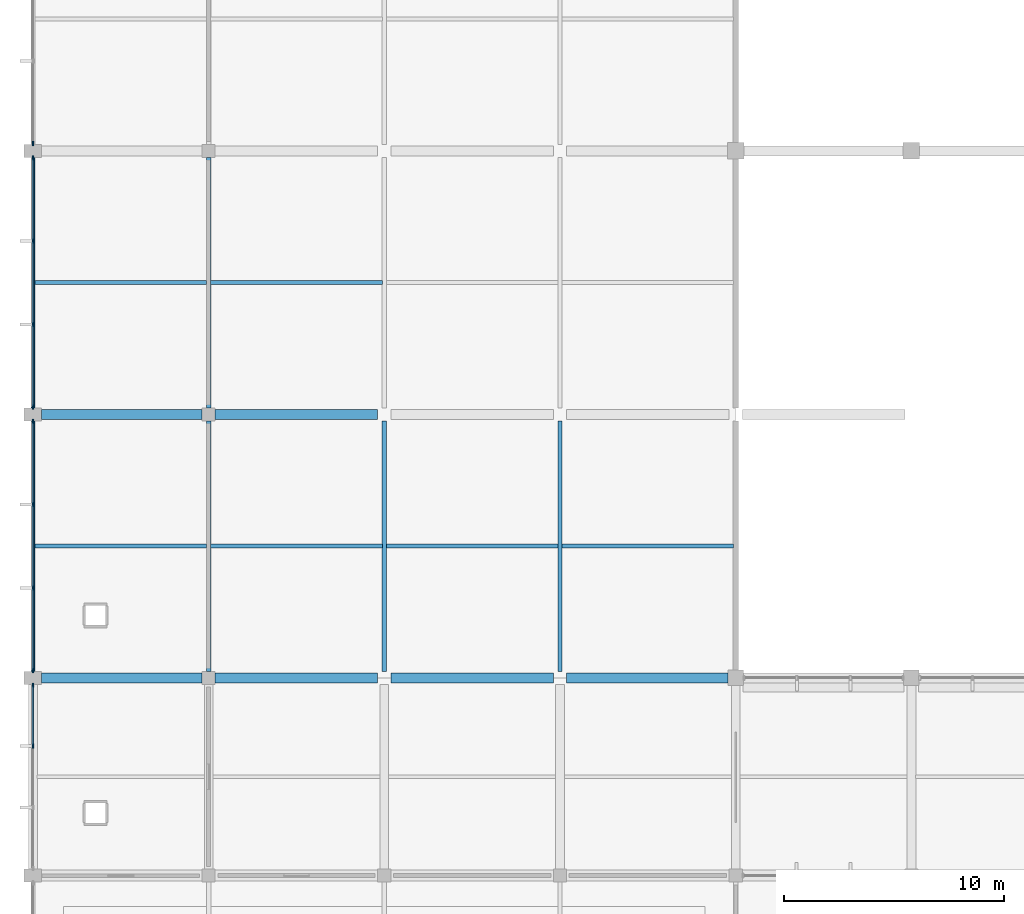
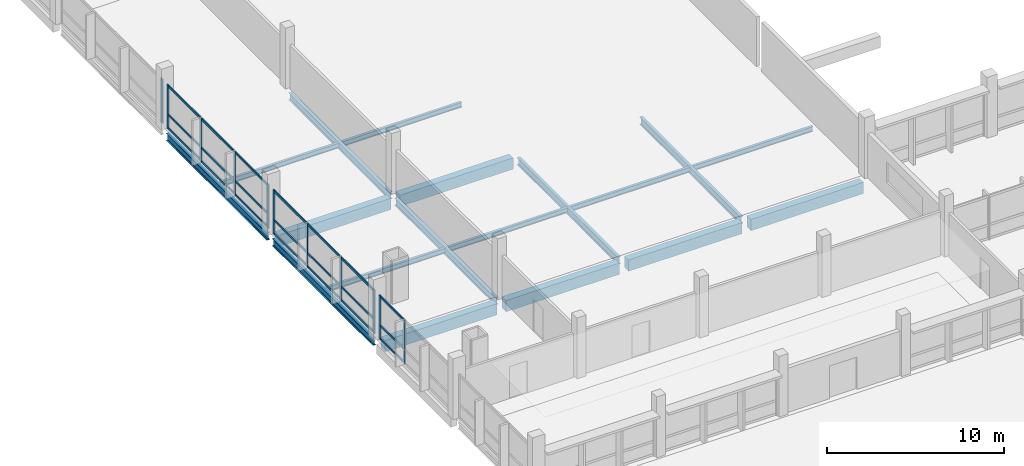
# One storey, part 7 of 70: 32 members, 18 beams, 4 elements without a shape of their own.
"""IFC4 building model written with IfcOpenShell, lengths in metres."""

from ifc_helpers import new_model, si_unit, direction, frame, origin, origin_2d, place, context, subcontext, project, spatial, rectangle, i_section, extrude, material, material_profile, profile_set, type_object, element, aggregate, save


model = new_model("IFC4")

# Units and contexts
model_context = context("Model", 3, precision=1e-05, world=origin(), true_north=direction((0.0, 1.0)))
body_context = subcontext(model_context, "Body", "Model", "MODEL_VIEW")
ifc_project = project(units=[si_unit("LENGTHUNIT", "METRE"), si_unit("AREAUNIT", "SQUARE_METRE"), si_unit("VOLUMEUNIT", "CUBIC_METRE"), si_unit("PLANEANGLEUNIT", "RADIAN"), si_unit("MASSUNIT", "GRAM", prefix="KILO"), si_unit("THERMODYNAMICTEMPERATUREUNIT", "KELVIN"), si_unit("POWERUNIT", "WATT")], contexts=[model_context])

# Site, building, storey
site_placement = place(None, origin())
site = spatial("IfcSite", under=ifc_project, at=site_placement, CompositionType="ELEMENT")
building_placement = place(site_placement, origin())
building = spatial("IfcBuilding", under=site, at=building_placement, Name="Kronsvod Quay Wholesale Market", CompositionType="ELEMENT")
storey_placement = place(building_placement, frame((0.0, 0.0, 9.0)))
storey = spatial("IfcBuildingStorey", under=building, at=storey_placement, Name="L02", CompositionType="ELEMENT", Elevation=9.0)

# Beams
ifc_material_1 = material(Name="Precast concrete C40/50", Category="concrete")
ifc_material_profile_1 = material_profile(ifc_material_1, rectangle(XDim=0.4599609375, YDim=0.780029296875, at=origin_2d()), Name="PB-03")
ifc_profile_set_1 = profile_set([ifc_material_profile_1], Name="Precast concrete C40/50")
beam_type_1 = type_object("IfcBeamType", Name="Beam_PCB460x780", PredefinedType="BEAM", material=ifc_profile_set_1)
beam_1_placement = place(storey_placement, frame((0.39990234375, 54.0, -0.699951171875), z_axis=(1.0, 0.0, 0.0), x_axis=(0.0, 1.0, 0.0)))
element("IfcBeam", 1, at=beam_1_placement, inside=storey, type_object=beam_type_1, Name="BMX-L02-0-540", PredefinedType="BEAM", context=body_context, shape_type="SweptSolid", body=[
    extrude(rectangle(XDim=0.4599609375, YDim=0.780029296875, at=origin_2d()), origin(), (0.0, 0.0, 1.0), 7.300048828125),
])
for number, where, z_axis, x_axis, name in (
    (2, (8.300048828125, 54.0, -0.699951171875), (1.0, 0.0, 0.0), (0.0, 1.0, 0.0), "BMX-L02-80-540"),
    (3, (16.300048828125, 54.0, -0.699951171875), (1.0, 0.0, 0.0), (0.0, 1.0, 0.0), "BMX-L02-160-540"),
):
    element("IfcBeam", number, at=place(storey_placement, frame(where, z_axis=z_axis, x_axis=x_axis)), inside=storey, type_object=beam_type_1, Name=name, PredefinedType="BEAM", context=body_context, shape_type="SweptSolid", body=[
        extrude(rectangle(XDim=0.4599609375, YDim=0.780029296875, at=origin_2d()), origin(), (0.0, 0.0, 1.0), 7.39990234375),
    ])
beam_2_placement = place(storey_placement, frame((24.300048828125, 54.0, -0.699951171875), z_axis=(1.0, 0.0, 0.0), x_axis=(0.0, 1.0, 0.0)))
element("IfcBeam", 4, at=beam_2_placement, inside=storey, type_object=beam_type_1, Name="BMX-L02-240-540", PredefinedType="BEAM", context=body_context, shape_type="SweptSolid", body=[
    extrude(rectangle(XDim=0.4599609375, YDim=0.780029296875, at=origin_2d()), origin(), (0.0, 0.0, 1.0), 7.349853515625),
])
beam_3_placement = place(storey_placement, frame((0.39990234375, 66.0, -0.699951171875), z_axis=(1.0, 0.0, 0.0), x_axis=(0.0, 1.0, 0.0)))
element("IfcBeam", 5, at=beam_3_placement, inside=storey, type_object=beam_type_1, Name="BMX-L02-0-660", PredefinedType="BEAM", context=body_context, shape_type="SweptSolid", body=[
    extrude(rectangle(XDim=0.4599609375, YDim=0.780029296875, at=origin_2d()), origin(), (0.0, 0.0, 1.0), 7.300048828125),
])
beam_4_placement = place(storey_placement, frame((8.300048828125, 66.0, -0.699951171875), z_axis=(1.0, 0.0, 0.0), x_axis=(0.0, 1.0, 0.0)))
element("IfcBeam", 6, at=beam_4_placement, inside=storey, type_object=beam_type_1, Name="BMX-L02-80-660", PredefinedType="BEAM", context=body_context, shape_type="SweptSolid", body=[
    extrude(rectangle(XDim=0.4599609375, YDim=0.780029296875, at=origin_2d()), origin(), (0.0, 0.0, 1.0), 7.39990234375),
])
ifc_material_2 = material(Name="Steel S355", Category="steel")
ifc_material_profile_2 = material_profile(ifc_material_2, i_section(OverallWidth=0.198974609375, OverallDepth=0.49609375, WebThickness=0.009033203125, FlangeThickness=0.013916015625, FilletRadius=0.02001953125, at=origin_2d()), Name="50B1")
ifc_profile_set_2 = profile_set([ifc_material_profile_2], Name="Steel S355")
beam_type_2 = type_object("IfcBeamType", Name="Girder_Steel50B1", PredefinedType="T_BEAM", material=ifc_profile_set_2)
for number, where, z_axis, x_axis, name in (
    (7, (0.0, 54.300048828125, -0.55810546875), (0.0, 1.0, 0.0), (-1.0, 0.0, 0.0), "BMY-L02-0-540"),
    (8, (0.0, 66.300048828125, -0.55810546875), (0.0, 1.0, 0.0), (-1.0, 0.0, 0.0), "BMY-L02-0-660"),
    (9, (8.0, 54.300048828125, -0.55810546875), (0.0, 1.0, 0.0), (-1.0, 0.0, 0.0), "BMY-L02-80-540"),
    (10, (8.0, 66.300048828125, -0.55810546875), (0.0, 1.0, 0.0), (-1.0, 0.0, 0.0), "BMY-L02-80-660"),
    (11, (16.0, 54.300048828125, -0.55810546875), (0.0, 1.0, 0.0), (-1.0, 0.0, 0.0), "BMY-L02-160-540"),
    (12, (24.0, 54.300048828125, -0.55810546875), (0.0, 1.0, 0.0), (-1.0, 0.0, 0.0), "BMY-L02-240-540"),
):
    element("IfcBeam", number, at=place(storey_placement, frame(where, z_axis=z_axis, x_axis=x_axis)), inside=storey, type_object=beam_type_2, Name=name, PredefinedType="T_BEAM", context=body_context, shape_type="SweptSolid", body=[
        extrude(i_section(OverallWidth=0.198974609375, OverallDepth=0.49609375, WebThickness=0.009033203125, FlangeThickness=0.013916015625, FilletRadius=0.02001953125, at=origin_2d()), origin(), (0.0, 0.0, 1.0), 11.39990234375),
    ])
ifc_material_3 = material(Name="Steel S355", Category="steel")
ifc_material_profile_3 = material_profile(ifc_material_3, i_section(OverallWidth=0.174072265625, OverallDepth=0.345947265625, WebThickness=0.006103515625, FlangeThickness=0.009033203125, FilletRadius=0.013916015625, at=origin_2d()), Name="35B1")
ifc_profile_set_3 = profile_set([ifc_material_profile_3], Name="Steel S355")
beam_type_3 = type_object("IfcBeamType", Name="Joist_Steel35B1", PredefinedType="JOIST", material=ifc_profile_set_3)
for number, where, z_axis, x_axis, name in (
    (13, (0.094482421875, 60.0, -0.443115234375), (1.0, 0.0, 0.0), (0.0, 1.0, 0.0), "JSTX-L02-0-540"),
    (14, (0.094482421875, 72.0, -0.443115234375), (1.0, 0.0, 0.0), (0.0, 1.0, 0.0), "JSTX-L02-0-660"),
    (15, (8.094482421875, 60.0, -0.443115234375), (1.0, 0.0, 0.0), (0.0, 1.0, 0.0), "JSTX-L02-80-540"),
    (16, (8.094482421875, 72.0, -0.443115234375), (1.0, 0.0, 0.0), (0.0, 1.0, 0.0), "JSTX-L02-80-660"),
    (17, (16.094482421875, 60.0, -0.443115234375), (1.0, 0.0, 0.0), (0.0, 1.0, 0.0), "JSTX-L02-160-540"),
    (18, (24.094482421875, 60.0, -0.443115234375), (1.0, 0.0, 0.0), (0.0, 1.0, 0.0), "JSTX-L02-240-540"),
):
    element("IfcBeam", number, at=place(storey_placement, frame(where, z_axis=z_axis, x_axis=x_axis)), inside=storey, type_object=beam_type_3, Name=name, PredefinedType="JOIST", context=body_context, shape_type="SweptSolid", body=[
        extrude(i_section(OverallWidth=0.174072265625, OverallDepth=0.345947265625, WebThickness=0.006103515625, FlangeThickness=0.009033203125, FilletRadius=0.013916015625, at=origin_2d()), origin(), (0.0, 0.0, 1.0), 7.81103515625),
    ])

# Curtain wall, members
ifc_material_4 = material(Name="Thermally broken aluminium and triple low-E glazing", Category="aluminium")
curtain_wall_type_1 = type_object("IfcCurtainWallType", Name="CW_Wing90x33", PredefinedType="NOTDEFINED", material=ifc_material_4)
curtain_wall_1_placement = place(storey_placement, origin())
curtain_wall_1 = element("IfcCurtainWall", 19, at=curtain_wall_1_placement, inside=storey, type_object=curtain_wall_type_1, Name="CWGY-L02-0-450", PredefinedType="NOTDEFINED")
ifc_material_5 = material(Name="Anodised aluminium", Category="aluminium")
ifc_material_profile_4 = material_profile(ifc_material_5, rectangle(XDim=0.074951171875, YDim=0.199951171875, at=origin_2d()), Name="ALUM75x200")
ifc_profile_set_4 = profile_set([ifc_material_profile_4], Name="Anodised aluminium")
member_type_1 = type_object("IfcMemberType", Name="Mullion_ALU75x200", PredefinedType="MULLION", material=ifc_profile_set_4)
member_1_placement = place(storey_placement, frame((0.0, 53.66748046875, 0.0), z_axis=(0.0, 0.0, 1.0), x_axis=(1.0, 0.0, 0.0)))
member_1 = element("IfcMember", 20, at=member_1_placement, type_object=member_type_1, Name="CWGY-L02-0-450-M1", PredefinedType="MULLION", context=body_context, shape_type="SweptSolid", body=[
    extrude(rectangle(XDim=0.074951171875, YDim=0.199951171875, at=origin_2d()), origin(), (0.0, 0.0, 1.0), 3.050048828125),
])
member_2_placement = place(storey_placement, frame((0.0, 50.901611328125, 0.0), z_axis=(0.0, 0.0, 1.0), x_axis=(1.0, 0.0, 0.0)))
member_2 = element("IfcMember", 21, at=member_2_placement, type_object=member_type_1, Name="CWGY-L02-0-450-M2", PredefinedType="MULLION", context=body_context, shape_type="SweptSolid", body=[
    extrude(rectangle(XDim=0.074951171875, YDim=0.199951171875, at=origin_2d()), origin(), (0.0, 0.0, 1.0), 3.050048828125),
])

ifc_material_6 = material(Name="Thermally broken aluminium and triple low-E glazing", Category="aluminium")
curtain_wall_type_2 = type_object("IfcCurtainWallType", Name="CW_WestLab90x37", PredefinedType="NOTDEFINED", material=ifc_material_6)
curtain_wall_2_placement = place(storey_placement, origin())
curtain_wall_2 = element("IfcCurtainWall", 22, at=curtain_wall_2_placement, inside=storey, type_object=curtain_wall_type_2, Name="CWGY-L02-0-540", PredefinedType="NOTDEFINED")
member_3_placement = place(storey_placement, frame((0.0, 65.66748046875, 0.0), z_axis=(0.0, 0.0, 1.0), x_axis=(1.0, 0.0, 0.0)))
member_3 = element("IfcMember", 23, at=member_3_placement, type_object=member_type_1, Name="CWGY-L02-0-540-M1", PredefinedType="MULLION", context=body_context, shape_type="SweptSolid", body=[
    extrude(rectangle(XDim=0.074951171875, YDim=0.199951171875, at=origin_2d()), origin(), (0.0, 0.0, 1.0), 3.050048828125),
])
member_4_placement = place(storey_placement, frame((0.0, 61.901611328125, 0.0), z_axis=(0.0, 0.0, 1.0), x_axis=(1.0, 0.0, 0.0)))
member_4 = element("IfcMember", 24, at=member_4_placement, type_object=member_type_1, Name="CWGY-L02-0-540-M2", PredefinedType="MULLION", context=body_context, shape_type="SweptSolid", body=[
    extrude(rectangle(XDim=0.074951171875, YDim=0.199951171875, at=origin_2d()), origin(), (0.0, 0.0, 1.0), 3.050048828125),
])
member_5_placement = place(storey_placement, frame((0.0, 58.098388671875, 0.0), z_axis=(0.0, 0.0, 1.0), x_axis=(1.0, 0.0, 0.0)))
member_5 = element("IfcMember", 25, at=member_5_placement, type_object=member_type_1, Name="CWGY-L02-0-540-M3", PredefinedType="MULLION", context=body_context, shape_type="SweptSolid", body=[
    extrude(rectangle(XDim=0.074951171875, YDim=0.199951171875, at=origin_2d()), origin(), (0.0, 0.0, 1.0), 3.050048828125),
])
member_6_placement = place(storey_placement, frame((0.0, 54.33251953125, 0.0), z_axis=(0.0, 0.0, 1.0), x_axis=(1.0, 0.0, 0.0)))
member_6 = element("IfcMember", 26, at=member_6_placement, type_object=member_type_1, Name="CWGY-L02-0-540-M4", PredefinedType="MULLION", context=body_context, shape_type="SweptSolid", body=[
    extrude(rectangle(XDim=0.074951171875, YDim=0.199951171875, at=origin_2d()), origin(), (0.0, 0.0, 1.0), 3.050048828125),
])

curtain_wall_3_placement = place(storey_placement, origin())
curtain_wall_3 = element("IfcCurtainWall", 27, at=curtain_wall_3_placement, inside=storey, type_object=curtain_wall_type_2, Name="CWGY-L02-0-660", PredefinedType="NOTDEFINED")
member_7_placement = place(storey_placement, frame((0.0, 77.66748046875, 0.0), z_axis=(0.0, 0.0, 1.0), x_axis=(1.0, 0.0, 0.0)))
member_7 = element("IfcMember", 28, at=member_7_placement, type_object=member_type_1, Name="CWGY-L02-0-660-M1", PredefinedType="MULLION", context=body_context, shape_type="SweptSolid", body=[
    extrude(rectangle(XDim=0.074951171875, YDim=0.199951171875, at=origin_2d()), origin(), (0.0, 0.0, 1.0), 3.050048828125),
])
member_8_placement = place(storey_placement, frame((0.0, 73.901611328125, 0.0), z_axis=(0.0, 0.0, 1.0), x_axis=(1.0, 0.0, 0.0)))
member_8 = element("IfcMember", 29, at=member_8_placement, type_object=member_type_1, Name="CWGY-L02-0-660-M2", PredefinedType="MULLION", context=body_context, shape_type="SweptSolid", body=[
    extrude(rectangle(XDim=0.074951171875, YDim=0.199951171875, at=origin_2d()), origin(), (0.0, 0.0, 1.0), 3.050048828125),
])
member_9_placement = place(storey_placement, frame((0.0, 70.098388671875, 0.0), z_axis=(0.0, 0.0, 1.0), x_axis=(1.0, 0.0, 0.0)))
member_9 = element("IfcMember", 30, at=member_9_placement, type_object=member_type_1, Name="CWGY-L02-0-660-M3", PredefinedType="MULLION", context=body_context, shape_type="SweptSolid", body=[
    extrude(rectangle(XDim=0.074951171875, YDim=0.199951171875, at=origin_2d()), origin(), (0.0, 0.0, 1.0), 3.050048828125),
])
member_10_placement = place(storey_placement, frame((0.0, 66.33251953125, 0.0), z_axis=(0.0, 0.0, 1.0), x_axis=(1.0, 0.0, 0.0)))
member_10 = element("IfcMember", 31, at=member_10_placement, type_object=member_type_1, Name="CWGY-L02-0-660-M4", PredefinedType="MULLION", context=body_context, shape_type="SweptSolid", body=[
    extrude(rectangle(XDim=0.074951171875, YDim=0.199951171875, at=origin_2d()), origin(), (0.0, 0.0, 1.0), 3.050048828125),
])

# Curtain wall, member
curtain_wall_4_placement = place(storey_placement, origin())
curtain_wall_4 = element("IfcCurtainWall", 32, at=curtain_wall_4_placement, inside=storey, type_object=curtain_wall_type_2, Name="CWGY-L02-0-780", PredefinedType="NOTDEFINED")
member_11_placement = place(storey_placement, frame((0.0, 78.33251953125, 0.0), z_axis=(0.0, 0.0, 1.0), x_axis=(1.0, 0.0, 0.0)))
member_11 = element("IfcMember", 33, at=member_11_placement, type_object=member_type_1, Name="CWGY-L02-0-780-M4", PredefinedType="MULLION", context=body_context, shape_type="SweptSolid", body=[
    extrude(rectangle(XDim=0.074951171875, YDim=0.199951171875, at=origin_2d()), origin(), (0.0, 0.0, 1.0), 3.050048828125),
])
aggregate(curtain_wall_4, [member_11])

# Member
ifc_material_7 = material(Name="Anodised aluminium", Category="aluminium")
ifc_material_profile_5 = material_profile(ifc_material_7, rectangle(XDim=0.074951171875, YDim=0.14990234375, at=origin_2d()), Name="ALUT75x150")
ifc_profile_set_5 = profile_set([ifc_material_profile_5], Name="Anodised aluminium")
member_type_2 = type_object("IfcMemberType", Name="Transom_ALU75x150", PredefinedType="USERDEFINED", material=ifc_profile_set_5)
member_12_placement = place(storey_placement, frame((0.0, 53.6298828125, 0.074951171875), z_axis=(0.0, -1.0, 0.0), x_axis=(1.0, 0.0, 0.0)))
member_12 = element("IfcMember", 34, at=member_12_placement, type_object=member_type_2, Name="CWGY-L02-0-450-T1B1", ObjectType="TRANSOM", PredefinedType="USERDEFINED", context=body_context, shape_type="SweptSolid", body=[
    extrude(rectangle(XDim=0.074951171875, YDim=0.14990234375, at=origin_2d()), origin(), (0.0, 0.0, 1.0), 2.690673828125),
])

member_13_placement = place(storey_placement, frame((0.0, 53.6298828125, 1.0), z_axis=(0.0, -1.0, 0.0), x_axis=(1.0, 0.0, 0.0)))
member_13 = element("IfcMember", 35, at=member_13_placement, type_object=member_type_2, Name="CWGY-L02-0-450-T2B1", ObjectType="TRANSOM", PredefinedType="USERDEFINED", context=body_context, shape_type="SweptSolid", body=[
    extrude(rectangle(XDim=0.074951171875, YDim=0.14990234375, at=origin_2d()), origin(), (0.0, 0.0, 1.0), 2.690673828125),
])

member_14_placement = place(storey_placement, frame((0.0, 53.6298828125, 2.97509765625), z_axis=(0.0, -1.0, 0.0), x_axis=(1.0, 0.0, 0.0)))
member_14 = element("IfcMember", 36, at=member_14_placement, type_object=member_type_2, Name="CWGY-L02-0-450-T3B1", ObjectType="TRANSOM", PredefinedType="USERDEFINED", context=body_context, shape_type="SweptSolid", body=[
    extrude(rectangle(XDim=0.074951171875, YDim=0.14990234375, at=origin_2d()), origin(), (0.0, 0.0, 1.0), 2.690673828125),
])

aggregate(curtain_wall_1, [member_1, member_2, member_12, member_13, member_14])

member_15_placement = place(storey_placement, frame((0.0, 65.6298828125, 0.074951171875), z_axis=(0.0, -1.0, 0.0), x_axis=(1.0, 0.0, 0.0)))
member_15 = element("IfcMember", 37, at=member_15_placement, type_object=member_type_2, Name="CWGY-L02-0-540-T1B1", ObjectType="TRANSOM", PredefinedType="USERDEFINED", context=body_context, shape_type="SweptSolid", body=[
    extrude(rectangle(XDim=0.074951171875, YDim=0.14990234375, at=origin_2d()), origin(), (0.0, 0.0, 1.0), 3.690673828125),
])

member_16_placement = place(storey_placement, frame((0.0, 61.8642578125, 0.074951171875), z_axis=(0.0, -1.0, 0.0), x_axis=(1.0, 0.0, 0.0)))
member_16 = element("IfcMember", 38, at=member_16_placement, type_object=member_type_2, Name="CWGY-L02-0-540-T1B2", ObjectType="TRANSOM", PredefinedType="USERDEFINED", context=body_context, shape_type="SweptSolid", body=[
    extrude(rectangle(XDim=0.074951171875, YDim=0.14990234375, at=origin_2d()), origin(), (0.0, 0.0, 1.0), 3.728515625),
])

member_17_placement = place(storey_placement, frame((0.0, 58.060791015625, 0.074951171875), z_axis=(0.0, -1.0, 0.0), x_axis=(1.0, 0.0, 0.0)))
member_17 = element("IfcMember", 39, at=member_17_placement, type_object=member_type_2, Name="CWGY-L02-0-540-T1B3", ObjectType="TRANSOM", PredefinedType="USERDEFINED", context=body_context, shape_type="SweptSolid", body=[
    extrude(rectangle(XDim=0.074951171875, YDim=0.14990234375, at=origin_2d()), origin(), (0.0, 0.0, 1.0), 3.690673828125),
])

member_18_placement = place(storey_placement, frame((0.0, 65.6298828125, 1.0), z_axis=(0.0, -1.0, 0.0), x_axis=(1.0, 0.0, 0.0)))
member_18 = element("IfcMember", 40, at=member_18_placement, type_object=member_type_2, Name="CWGY-L02-0-540-T2B1", ObjectType="TRANSOM", PredefinedType="USERDEFINED", context=body_context, shape_type="SweptSolid", body=[
    extrude(rectangle(XDim=0.074951171875, YDim=0.14990234375, at=origin_2d()), origin(), (0.0, 0.0, 1.0), 3.690673828125),
])

member_19_placement = place(storey_placement, frame((0.0, 61.8642578125, 1.0), z_axis=(0.0, -1.0, 0.0), x_axis=(1.0, 0.0, 0.0)))
member_19 = element("IfcMember", 41, at=member_19_placement, type_object=member_type_2, Name="CWGY-L02-0-540-T2B2", ObjectType="TRANSOM", PredefinedType="USERDEFINED", context=body_context, shape_type="SweptSolid", body=[
    extrude(rectangle(XDim=0.074951171875, YDim=0.14990234375, at=origin_2d()), origin(), (0.0, 0.0, 1.0), 3.728515625),
])

member_20_placement = place(storey_placement, frame((0.0, 58.060791015625, 1.0), z_axis=(0.0, -1.0, 0.0), x_axis=(1.0, 0.0, 0.0)))
member_20 = element("IfcMember", 42, at=member_20_placement, type_object=member_type_2, Name="CWGY-L02-0-540-T2B3", ObjectType="TRANSOM", PredefinedType="USERDEFINED", context=body_context, shape_type="SweptSolid", body=[
    extrude(rectangle(XDim=0.074951171875, YDim=0.14990234375, at=origin_2d()), origin(), (0.0, 0.0, 1.0), 3.690673828125),
])

member_21_placement = place(storey_placement, frame((0.0, 65.6298828125, 2.97509765625), z_axis=(0.0, -1.0, 0.0), x_axis=(1.0, 0.0, 0.0)))
member_21 = element("IfcMember", 43, at=member_21_placement, type_object=member_type_2, Name="CWGY-L02-0-540-T3B1", ObjectType="TRANSOM", PredefinedType="USERDEFINED", context=body_context, shape_type="SweptSolid", body=[
    extrude(rectangle(XDim=0.074951171875, YDim=0.14990234375, at=origin_2d()), origin(), (0.0, 0.0, 1.0), 3.690673828125),
])

member_22_placement = place(storey_placement, frame((0.0, 61.8642578125, 2.97509765625), z_axis=(0.0, -1.0, 0.0), x_axis=(1.0, 0.0, 0.0)))
member_22 = element("IfcMember", 44, at=member_22_placement, type_object=member_type_2, Name="CWGY-L02-0-540-T3B2", ObjectType="TRANSOM", PredefinedType="USERDEFINED", context=body_context, shape_type="SweptSolid", body=[
    extrude(rectangle(XDim=0.074951171875, YDim=0.14990234375, at=origin_2d()), origin(), (0.0, 0.0, 1.0), 3.728515625),
])

member_23_placement = place(storey_placement, frame((0.0, 58.060791015625, 2.97509765625), z_axis=(0.0, -1.0, 0.0), x_axis=(1.0, 0.0, 0.0)))
member_23 = element("IfcMember", 45, at=member_23_placement, type_object=member_type_2, Name="CWGY-L02-0-540-T3B3", ObjectType="TRANSOM", PredefinedType="USERDEFINED", context=body_context, shape_type="SweptSolid", body=[
    extrude(rectangle(XDim=0.074951171875, YDim=0.14990234375, at=origin_2d()), origin(), (0.0, 0.0, 1.0), 3.690673828125),
])

aggregate(curtain_wall_2, [member_3, member_4, member_5, member_6, member_15, member_16, member_17, member_18, member_19, member_20, member_21, member_22, member_23])

member_24_placement = place(storey_placement, frame((0.0, 77.6298828125, 0.074951171875), z_axis=(0.0, -1.0, 0.0), x_axis=(1.0, 0.0, 0.0)))
member_24 = element("IfcMember", 46, at=member_24_placement, type_object=member_type_2, Name="CWGY-L02-0-660-T1B1", ObjectType="TRANSOM", PredefinedType="USERDEFINED", context=body_context, shape_type="SweptSolid", body=[
    extrude(rectangle(XDim=0.074951171875, YDim=0.14990234375, at=origin_2d()), origin(), (0.0, 0.0, 1.0), 3.690673828125),
])

member_25_placement = place(storey_placement, frame((0.0, 73.8642578125, 0.074951171875), z_axis=(0.0, -1.0, 0.0), x_axis=(1.0, 0.0, 0.0)))
member_25 = element("IfcMember", 47, at=member_25_placement, type_object=member_type_2, Name="CWGY-L02-0-660-T1B2", ObjectType="TRANSOM", PredefinedType="USERDEFINED", context=body_context, shape_type="SweptSolid", body=[
    extrude(rectangle(XDim=0.074951171875, YDim=0.14990234375, at=origin_2d()), origin(), (0.0, 0.0, 1.0), 3.728515625),
])

member_26_placement = place(storey_placement, frame((0.0, 70.060791015625, 0.074951171875), z_axis=(0.0, -1.0, 0.0), x_axis=(1.0, 0.0, 0.0)))
member_26 = element("IfcMember", 48, at=member_26_placement, type_object=member_type_2, Name="CWGY-L02-0-660-T1B3", ObjectType="TRANSOM", PredefinedType="USERDEFINED", context=body_context, shape_type="SweptSolid", body=[
    extrude(rectangle(XDim=0.074951171875, YDim=0.14990234375, at=origin_2d()), origin(), (0.0, 0.0, 1.0), 3.690673828125),
])

member_27_placement = place(storey_placement, frame((0.0, 77.6298828125, 1.0), z_axis=(0.0, -1.0, 0.0), x_axis=(1.0, 0.0, 0.0)))
member_27 = element("IfcMember", 49, at=member_27_placement, type_object=member_type_2, Name="CWGY-L02-0-660-T2B1", ObjectType="TRANSOM", PredefinedType="USERDEFINED", context=body_context, shape_type="SweptSolid", body=[
    extrude(rectangle(XDim=0.074951171875, YDim=0.14990234375, at=origin_2d()), origin(), (0.0, 0.0, 1.0), 3.690673828125),
])

member_28_placement = place(storey_placement, frame((0.0, 73.8642578125, 1.0), z_axis=(0.0, -1.0, 0.0), x_axis=(1.0, 0.0, 0.0)))
member_28 = element("IfcMember", 50, at=member_28_placement, type_object=member_type_2, Name="CWGY-L02-0-660-T2B2", ObjectType="TRANSOM", PredefinedType="USERDEFINED", context=body_context, shape_type="SweptSolid", body=[
    extrude(rectangle(XDim=0.074951171875, YDim=0.14990234375, at=origin_2d()), origin(), (0.0, 0.0, 1.0), 3.728515625),
])

member_29_placement = place(storey_placement, frame((0.0, 70.060791015625, 1.0), z_axis=(0.0, -1.0, 0.0), x_axis=(1.0, 0.0, 0.0)))
member_29 = element("IfcMember", 51, at=member_29_placement, type_object=member_type_2, Name="CWGY-L02-0-660-T2B3", ObjectType="TRANSOM", PredefinedType="USERDEFINED", context=body_context, shape_type="SweptSolid", body=[
    extrude(rectangle(XDim=0.074951171875, YDim=0.14990234375, at=origin_2d()), origin(), (0.0, 0.0, 1.0), 3.690673828125),
])

member_30_placement = place(storey_placement, frame((0.0, 77.6298828125, 2.97509765625), z_axis=(0.0, -1.0, 0.0), x_axis=(1.0, 0.0, 0.0)))
member_30 = element("IfcMember", 52, at=member_30_placement, type_object=member_type_2, Name="CWGY-L02-0-660-T3B1", ObjectType="TRANSOM", PredefinedType="USERDEFINED", context=body_context, shape_type="SweptSolid", body=[
    extrude(rectangle(XDim=0.074951171875, YDim=0.14990234375, at=origin_2d()), origin(), (0.0, 0.0, 1.0), 3.690673828125),
])

member_31_placement = place(storey_placement, frame((0.0, 73.8642578125, 2.97509765625), z_axis=(0.0, -1.0, 0.0), x_axis=(1.0, 0.0, 0.0)))
member_31 = element("IfcMember", 53, at=member_31_placement, type_object=member_type_2, Name="CWGY-L02-0-660-T3B2", ObjectType="TRANSOM", PredefinedType="USERDEFINED", context=body_context, shape_type="SweptSolid", body=[
    extrude(rectangle(XDim=0.074951171875, YDim=0.14990234375, at=origin_2d()), origin(), (0.0, 0.0, 1.0), 3.728515625),
])

member_32_placement = place(storey_placement, frame((0.0, 70.060791015625, 2.97509765625), z_axis=(0.0, -1.0, 0.0), x_axis=(1.0, 0.0, 0.0)))
member_32 = element("IfcMember", 54, at=member_32_placement, type_object=member_type_2, Name="CWGY-L02-0-660-T3B3", ObjectType="TRANSOM", PredefinedType="USERDEFINED", context=body_context, shape_type="SweptSolid", body=[
    extrude(rectangle(XDim=0.074951171875, YDim=0.14990234375, at=origin_2d()), origin(), (0.0, 0.0, 1.0), 3.690673828125),
])

aggregate(curtain_wall_3, [member_7, member_8, member_9, member_10, member_24, member_25, member_26, member_27, member_28, member_29, member_30, member_31, member_32])

save(model, "model.ifc")
